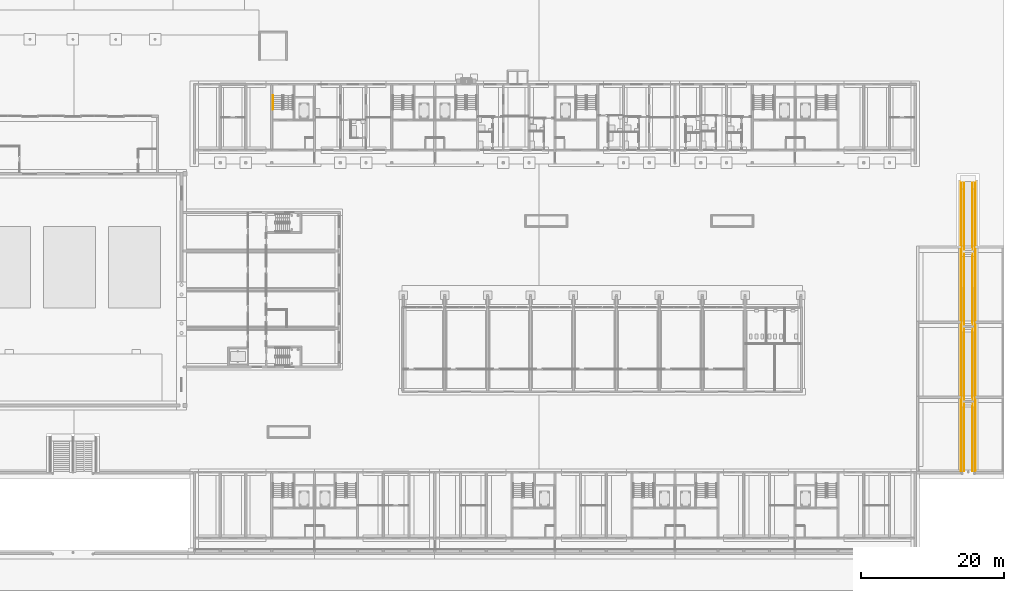
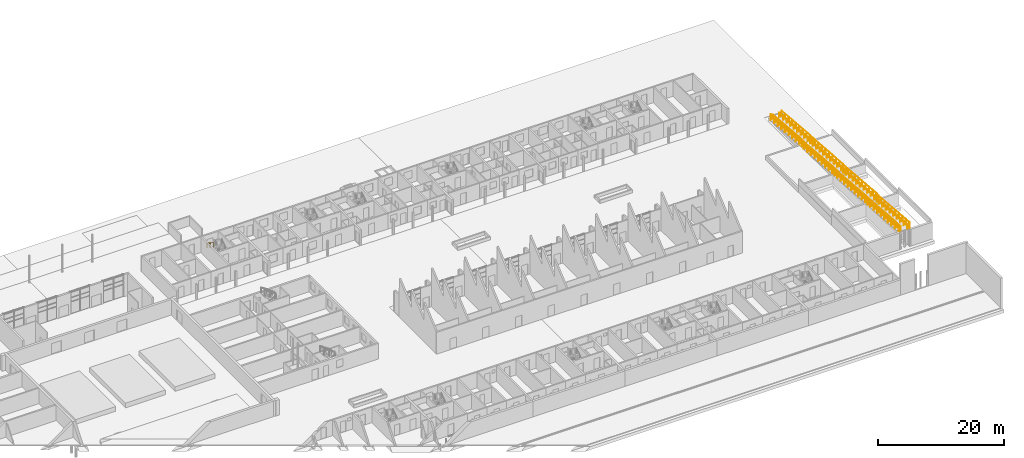
# One storey, part 104 of 112: 5 railings.
"""IFC4 building model written with IfcOpenShell, lengths in metres."""

from ifc_helpers import new_model, si_unit, direction, frame, origin, origin_2d, place, context, subcontext, project, spatial, circle, extrude, material, type_object, element, save


model = new_model("IFC4")

# Units and contexts
model_context = context("Model", 3, precision=1e-05, world=origin(), true_north=direction((0.0, 1.0)))
body_context = subcontext(model_context, "Body", "Model", "MODEL_VIEW")
ifc_project = project(units=[si_unit("LENGTHUNIT", "METRE"), si_unit("AREAUNIT", "SQUARE_METRE"), si_unit("VOLUMEUNIT", "CUBIC_METRE"), si_unit("PLANEANGLEUNIT", "RADIAN"), si_unit("MASSUNIT", "GRAM", prefix="KILO")], contexts=[model_context])

# Site, building, storey
site_placement = place(None, origin())
site = spatial("IfcSite", under=ifc_project, at=site_placement, CompositionType="ELEMENT")
building_placement = place(site_placement, origin())
building = spatial("IfcBuilding", under=site, at=building_placement, Name="Ridgestep Commons", CompositionType="ELEMENT")
storey_placement = place(building_placement, origin())
storey = spatial("IfcBuildingStorey", under=building, at=storey_placement, Name="L00", CompositionType="ELEMENT", Elevation=0.0)

# Railings
ifc_material_1 = material(Name="Structural steel S355JR", Category="steel")
railing_type_1 = type_object("IfcRailingType", Name="Community guard 1100", PredefinedType="GUARDRAIL", material=ifc_material_1)
railing_1_placement = place(storey_placement, frame((254.0, 63.5, 0.0)))
element("IfcRailing", 1, at=railing_1_placement, inside=storey, type_object=railing_type_1, Name="Ramp guard", PredefinedType="GUARDRAIL", context=body_context, shape_type="SweptSolid", body=[
    extrude(circle(Radius=0.02392578125, at=origin_2d()), frame((0.0, 0.0, 1.076171875), z_axis=(0.0, -0.996545758245, 0.083045479854), x_axis=(1.0, 0.0, 0.0)), (0.0, 0.0, 1.0), 9.03125),
    extrude(circle(Radius=0.02392578125, at=origin_2d()), frame((0.0, -9.0, 1.826171875), z_axis=(0.0, -1.0, 0.0), x_axis=(1.0, 0.0, 0.0)), (0.0, 0.0, 1.0), 1.5),
    extrude(circle(Radius=0.02392578125, at=origin_2d()), frame((0.0, -10.5, 1.826171875), z_axis=(0.0, -0.996545758245, 0.083045479854), x_axis=(1.0, 0.0, 0.0)), (0.0, 0.0, 1.0), 9.03125),
    extrude(circle(Radius=0.02392578125, at=origin_2d()), frame((0.0, -19.5, 2.576171875), z_axis=(0.0, -1.0, 0.0), x_axis=(1.0, 0.0, 0.0)), (0.0, 0.0, 1.0), 1.5),
    extrude(circle(Radius=0.02392578125, at=origin_2d()), frame((0.0, -21.0, 2.576171875), z_axis=(0.0, -0.996545758245, 0.083045479854), x_axis=(1.0, 0.0, 0.0)), (0.0, 0.0, 1.0), 9.03125),
    extrude(circle(Radius=0.02392578125, at=origin_2d()), frame((0.0, -30.0, 3.326171875), z_axis=(0.0, -1.0, 0.0), x_axis=(1.0, 0.0, 0.0)), (0.0, 0.0, 1.0), 1.5),
    extrude(circle(Radius=0.02392578125, at=origin_2d()), frame((0.0, -31.5, 3.326171875), z_axis=(0.0, -0.996545758245, 0.083045479854), x_axis=(1.0, 0.0, 0.0)), (0.0, 0.0, 1.0), 9.03125),
    extrude(circle(Radius=0.02099609375, at=origin_2d()), origin(), (0.0, 0.0, 1.0), 1.052001953125),
    extrude(circle(Radius=0.02099609375, at=origin_2d()), frame((0.0, -1.125, 0.09375)), (0.0, 0.0, 1.0), 1.052001953125),
    extrude(circle(Radius=0.02099609375, at=origin_2d()), frame((0.0, -2.25, 0.1875)), (0.0, 0.0, 1.0), 1.052001953125),
    extrude(circle(Radius=0.02099609375, at=origin_2d()), frame((0.0, -3.375, 0.28125)), (0.0, 0.0, 1.0), 1.052001953125),
    extrude(circle(Radius=0.02099609375, at=origin_2d()), frame((0.0, -4.5, 0.375)), (0.0, 0.0, 1.0), 1.052001953125),
    extrude(circle(Radius=0.02099609375, at=origin_2d()), frame((0.0, -5.625, 0.46875)), (0.0, 0.0, 1.0), 1.052001953125),
    extrude(circle(Radius=0.02099609375, at=origin_2d()), frame((0.0, -6.75, 0.5625)), (0.0, 0.0, 1.0), 1.052001953125),
    extrude(circle(Radius=0.02099609375, at=origin_2d()), frame((0.0, -7.875, 0.65625)), (0.0, 0.0, 1.0), 1.052001953125),
    extrude(circle(Radius=0.02099609375, at=origin_2d()), frame((0.0, -9.0, 0.75)), (0.0, 0.0, 1.0), 1.052001953125),
    extrude(circle(Radius=0.02099609375, at=origin_2d()), frame((0.0, -9.75, 0.75)), (0.0, 0.0, 1.0), 1.052001953125),
    extrude(circle(Radius=0.02099609375, at=origin_2d()), frame((0.0, -10.5, 0.75)), (0.0, 0.0, 1.0), 1.052001953125),
    extrude(circle(Radius=0.02099609375, at=origin_2d()), frame((0.0, -11.625, 0.84375)), (0.0, 0.0, 1.0), 1.052001953125),
    extrude(circle(Radius=0.02099609375, at=origin_2d()), frame((0.0, -12.75, 0.9375)), (0.0, 0.0, 1.0), 1.052001953125),
    extrude(circle(Radius=0.02099609375, at=origin_2d()), frame((0.0, -13.875, 1.03125)), (0.0, 0.0, 1.0), 1.052001953125),
    extrude(circle(Radius=0.02099609375, at=origin_2d()), frame((0.0, -15.0, 1.125)), (0.0, 0.0, 1.0), 1.052001953125),
    extrude(circle(Radius=0.02099609375, at=origin_2d()), frame((0.0, -16.125, 1.21875)), (0.0, 0.0, 1.0), 1.052001953125),
    extrude(circle(Radius=0.02099609375, at=origin_2d()), frame((0.0, -17.25, 1.3125)), (0.0, 0.0, 1.0), 1.052001953125),
    extrude(circle(Radius=0.02099609375, at=origin_2d()), frame((0.0, -18.375, 1.40625)), (0.0, 0.0, 1.0), 1.052001953125),
    extrude(circle(Radius=0.02099609375, at=origin_2d()), frame((0.0, -19.5, 1.5)), (0.0, 0.0, 1.0), 1.052001953125),
    extrude(circle(Radius=0.02099609375, at=origin_2d()), frame((0.0, -20.25, 1.5)), (0.0, 0.0, 1.0), 1.052001953125),
    extrude(circle(Radius=0.02099609375, at=origin_2d()), frame((0.0, -21.0, 1.5)), (0.0, 0.0, 1.0), 1.052001953125),
    extrude(circle(Radius=0.02099609375, at=origin_2d()), frame((0.0, -22.125, 1.59375)), (0.0, 0.0, 1.0), 1.052001953125),
    extrude(circle(Radius=0.02099609375, at=origin_2d()), frame((0.0, -23.25, 1.6875)), (0.0, 0.0, 1.0), 1.052001953125),
    extrude(circle(Radius=0.02099609375, at=origin_2d()), frame((0.0, -24.375, 1.78125)), (0.0, 0.0, 1.0), 1.052001953125),
    extrude(circle(Radius=0.02099609375, at=origin_2d()), frame((0.0, -25.5, 1.875)), (0.0, 0.0, 1.0), 1.052001953125),
    extrude(circle(Radius=0.02099609375, at=origin_2d()), frame((0.0, -26.625, 1.96875)), (0.0, 0.0, 1.0), 1.052001953125),
    extrude(circle(Radius=0.02099609375, at=origin_2d()), frame((0.0, -27.75, 2.0625)), (0.0, 0.0, 1.0), 1.052001953125),
    extrude(circle(Radius=0.02099609375, at=origin_2d()), frame((0.0, -28.875, 2.15625)), (0.0, 0.0, 1.0), 1.052001953125),
    extrude(circle(Radius=0.02099609375, at=origin_2d()), frame((0.0, -30.0, 2.25)), (0.0, 0.0, 1.0), 1.052001953125),
    extrude(circle(Radius=0.02099609375, at=origin_2d()), frame((0.0, -30.75, 2.25)), (0.0, 0.0, 1.0), 1.052001953125),
    extrude(circle(Radius=0.02099609375, at=origin_2d()), frame((0.0, -31.5, 2.25)), (0.0, 0.0, 1.0), 1.052001953125),
    extrude(circle(Radius=0.02099609375, at=origin_2d()), frame((0.0, -32.625, 2.34375)), (0.0, 0.0, 1.0), 1.052001953125),
    extrude(circle(Radius=0.02099609375, at=origin_2d()), frame((0.0, -33.75, 2.4375)), (0.0, 0.0, 1.0), 1.052001953125),
    extrude(circle(Radius=0.02099609375, at=origin_2d()), frame((0.0, -34.875, 2.53125)), (0.0, 0.0, 1.0), 1.052001953125),
    extrude(circle(Radius=0.02099609375, at=origin_2d()), frame((0.0, -36.0, 2.625)), (0.0, 0.0, 1.0), 1.052001953125),
    extrude(circle(Radius=0.02099609375, at=origin_2d()), frame((0.0, -37.125, 2.71875)), (0.0, 0.0, 1.0), 1.052001953125),
    extrude(circle(Radius=0.02099609375, at=origin_2d()), frame((0.0, -38.25, 2.8125)), (0.0, 0.0, 1.0), 1.052001953125),
    extrude(circle(Radius=0.02099609375, at=origin_2d()), frame((0.0, -39.375, 2.90625)), (0.0, 0.0, 1.0), 1.052001953125),
    extrude(circle(Radius=0.02099609375, at=origin_2d()), frame((0.0, -40.5, 3.0)), (0.0, 0.0, 1.0), 1.052001953125),
])
railing_2_placement = place(storey_placement, frame((256.0, 63.5, 0.0)))
element("IfcRailing", 2, at=railing_2_placement, inside=storey, type_object=railing_type_1, Name="Ramp guard", PredefinedType="GUARDRAIL", context=body_context, shape_type="SweptSolid", body=[
    extrude(circle(Radius=0.02392578125, at=origin_2d()), frame((0.0, 0.0, 1.076171875), z_axis=(0.0, -0.996545758245, 0.083045479854), x_axis=(1.0, 0.0, 0.0)), (0.0, 0.0, 1.0), 9.03125),
    extrude(circle(Radius=0.02392578125, at=origin_2d()), frame((0.0, -9.0, 1.826171875), z_axis=(0.0, -1.0, 0.0), x_axis=(1.0, 0.0, 0.0)), (0.0, 0.0, 1.0), 1.5),
    extrude(circle(Radius=0.02392578125, at=origin_2d()), frame((0.0, -10.5, 1.826171875), z_axis=(0.0, -0.996545758245, 0.083045479854), x_axis=(1.0, 0.0, 0.0)), (0.0, 0.0, 1.0), 9.03125),
    extrude(circle(Radius=0.02392578125, at=origin_2d()), frame((0.0, -19.5, 2.576171875), z_axis=(0.0, -1.0, 0.0), x_axis=(1.0, 0.0, 0.0)), (0.0, 0.0, 1.0), 1.5),
    extrude(circle(Radius=0.02392578125, at=origin_2d()), frame((0.0, -21.0, 2.576171875), z_axis=(0.0, -0.996545758245, 0.083045479854), x_axis=(1.0, 0.0, 0.0)), (0.0, 0.0, 1.0), 9.03125),
    extrude(circle(Radius=0.02392578125, at=origin_2d()), frame((0.0, -30.0, 3.326171875), z_axis=(0.0, -1.0, 0.0), x_axis=(1.0, 0.0, 0.0)), (0.0, 0.0, 1.0), 1.5),
    extrude(circle(Radius=0.02392578125, at=origin_2d()), frame((0.0, -31.5, 3.326171875), z_axis=(0.0, -0.996545758245, 0.083045479854), x_axis=(1.0, 0.0, 0.0)), (0.0, 0.0, 1.0), 9.03125),
    extrude(circle(Radius=0.02099609375, at=origin_2d()), origin(), (0.0, 0.0, 1.0), 1.052001953125),
    extrude(circle(Radius=0.02099609375, at=origin_2d()), frame((0.0, -1.125, 0.09375)), (0.0, 0.0, 1.0), 1.052001953125),
    extrude(circle(Radius=0.02099609375, at=origin_2d()), frame((0.0, -2.25, 0.1875)), (0.0, 0.0, 1.0), 1.052001953125),
    extrude(circle(Radius=0.02099609375, at=origin_2d()), frame((0.0, -3.375, 0.28125)), (0.0, 0.0, 1.0), 1.052001953125),
    extrude(circle(Radius=0.02099609375, at=origin_2d()), frame((0.0, -4.5, 0.375)), (0.0, 0.0, 1.0), 1.052001953125),
    extrude(circle(Radius=0.02099609375, at=origin_2d()), frame((0.0, -5.625, 0.46875)), (0.0, 0.0, 1.0), 1.052001953125),
    extrude(circle(Radius=0.02099609375, at=origin_2d()), frame((0.0, -6.75, 0.5625)), (0.0, 0.0, 1.0), 1.052001953125),
    extrude(circle(Radius=0.02099609375, at=origin_2d()), frame((0.0, -7.875, 0.65625)), (0.0, 0.0, 1.0), 1.052001953125),
    extrude(circle(Radius=0.02099609375, at=origin_2d()), frame((0.0, -9.0, 0.75)), (0.0, 0.0, 1.0), 1.052001953125),
    extrude(circle(Radius=0.02099609375, at=origin_2d()), frame((0.0, -9.75, 0.75)), (0.0, 0.0, 1.0), 1.052001953125),
    extrude(circle(Radius=0.02099609375, at=origin_2d()), frame((0.0, -10.5, 0.75)), (0.0, 0.0, 1.0), 1.052001953125),
    extrude(circle(Radius=0.02099609375, at=origin_2d()), frame((0.0, -11.625, 0.84375)), (0.0, 0.0, 1.0), 1.052001953125),
    extrude(circle(Radius=0.02099609375, at=origin_2d()), frame((0.0, -12.75, 0.9375)), (0.0, 0.0, 1.0), 1.052001953125),
    extrude(circle(Radius=0.02099609375, at=origin_2d()), frame((0.0, -13.875, 1.03125)), (0.0, 0.0, 1.0), 1.052001953125),
    extrude(circle(Radius=0.02099609375, at=origin_2d()), frame((0.0, -15.0, 1.125)), (0.0, 0.0, 1.0), 1.052001953125),
    extrude(circle(Radius=0.02099609375, at=origin_2d()), frame((0.0, -16.125, 1.21875)), (0.0, 0.0, 1.0), 1.052001953125),
    extrude(circle(Radius=0.02099609375, at=origin_2d()), frame((0.0, -17.25, 1.3125)), (0.0, 0.0, 1.0), 1.052001953125),
    extrude(circle(Radius=0.02099609375, at=origin_2d()), frame((0.0, -18.375, 1.40625)), (0.0, 0.0, 1.0), 1.052001953125),
    extrude(circle(Radius=0.02099609375, at=origin_2d()), frame((0.0, -19.5, 1.5)), (0.0, 0.0, 1.0), 1.052001953125),
    extrude(circle(Radius=0.02099609375, at=origin_2d()), frame((0.0, -20.25, 1.5)), (0.0, 0.0, 1.0), 1.052001953125),
    extrude(circle(Radius=0.02099609375, at=origin_2d()), frame((0.0, -21.0, 1.5)), (0.0, 0.0, 1.0), 1.052001953125),
    extrude(circle(Radius=0.02099609375, at=origin_2d()), frame((0.0, -22.125, 1.59375)), (0.0, 0.0, 1.0), 1.052001953125),
    extrude(circle(Radius=0.02099609375, at=origin_2d()), frame((0.0, -23.25, 1.6875)), (0.0, 0.0, 1.0), 1.052001953125),
    extrude(circle(Radius=0.02099609375, at=origin_2d()), frame((0.0, -24.375, 1.78125)), (0.0, 0.0, 1.0), 1.052001953125),
    extrude(circle(Radius=0.02099609375, at=origin_2d()), frame((0.0, -25.5, 1.875)), (0.0, 0.0, 1.0), 1.052001953125),
    extrude(circle(Radius=0.02099609375, at=origin_2d()), frame((0.0, -26.625, 1.96875)), (0.0, 0.0, 1.0), 1.052001953125),
    extrude(circle(Radius=0.02099609375, at=origin_2d()), frame((0.0, -27.75, 2.0625)), (0.0, 0.0, 1.0), 1.052001953125),
    extrude(circle(Radius=0.02099609375, at=origin_2d()), frame((0.0, -28.875, 2.15625)), (0.0, 0.0, 1.0), 1.052001953125),
    extrude(circle(Radius=0.02099609375, at=origin_2d()), frame((0.0, -30.0, 2.25)), (0.0, 0.0, 1.0), 1.052001953125),
    extrude(circle(Radius=0.02099609375, at=origin_2d()), frame((0.0, -30.75, 2.25)), (0.0, 0.0, 1.0), 1.052001953125),
    extrude(circle(Radius=0.02099609375, at=origin_2d()), frame((0.0, -31.5, 2.25)), (0.0, 0.0, 1.0), 1.052001953125),
    extrude(circle(Radius=0.02099609375, at=origin_2d()), frame((0.0, -32.625, 2.34375)), (0.0, 0.0, 1.0), 1.052001953125),
    extrude(circle(Radius=0.02099609375, at=origin_2d()), frame((0.0, -33.75, 2.4375)), (0.0, 0.0, 1.0), 1.052001953125),
    extrude(circle(Radius=0.02099609375, at=origin_2d()), frame((0.0, -34.875, 2.53125)), (0.0, 0.0, 1.0), 1.052001953125),
    extrude(circle(Radius=0.02099609375, at=origin_2d()), frame((0.0, -36.0, 2.625)), (0.0, 0.0, 1.0), 1.052001953125),
    extrude(circle(Radius=0.02099609375, at=origin_2d()), frame((0.0, -37.125, 2.71875)), (0.0, 0.0, 1.0), 1.052001953125),
    extrude(circle(Radius=0.02099609375, at=origin_2d()), frame((0.0, -38.25, 2.8125)), (0.0, 0.0, 1.0), 1.052001953125),
    extrude(circle(Radius=0.02099609375, at=origin_2d()), frame((0.0, -39.375, 2.90625)), (0.0, 0.0, 1.0), 1.052001953125),
    extrude(circle(Radius=0.02099609375, at=origin_2d()), frame((0.0, -40.5, 3.0)), (0.0, 0.0, 1.0), 1.052001953125),
])
ifc_material_2 = material(Name="Structural steel S355JR", Category="steel")
railing_type_2 = type_object("IfcRailingType", Name="Community stair handrail 900", PredefinedType="HANDRAIL", material=ifc_material_2)
railing_3_placement = place(storey_placement, frame((254.39990234375, 63.5, 0.0)))
element("IfcRailing", 3, at=railing_3_placement, inside=storey, type_object=railing_type_2, Name="Ramp handrail", PredefinedType="HANDRAIL", context=body_context, shape_type="SweptSolid", body=[
    extrude(circle(Radius=0.02392578125, at=origin_2d()), frame((0.0, 0.0, 0.8759765625), z_axis=(0.0, -0.996545758245, 0.083045479854), x_axis=(1.0, 0.0, 0.0)), (0.0, 0.0, 1.0), 9.03125),
    extrude(circle(Radius=0.02392578125, at=origin_2d()), frame((0.0, -9.0, 1.6259765625), z_axis=(0.0, -1.0, 0.0), x_axis=(1.0, 0.0, 0.0)), (0.0, 0.0, 1.0), 1.5),
    extrude(circle(Radius=0.02392578125, at=origin_2d()), frame((0.0, -10.5, 1.6259765625), z_axis=(0.0, -0.996545758245, 0.083045479854), x_axis=(1.0, 0.0, 0.0)), (0.0, 0.0, 1.0), 9.03125),
    extrude(circle(Radius=0.02392578125, at=origin_2d()), frame((0.0, -19.5, 2.3759765625), z_axis=(0.0, -1.0, 0.0), x_axis=(1.0, 0.0, 0.0)), (0.0, 0.0, 1.0), 1.5),
    extrude(circle(Radius=0.02392578125, at=origin_2d()), frame((0.0, -21.0, 2.3759765625), z_axis=(0.0, -0.996545758245, 0.083045479854), x_axis=(1.0, 0.0, 0.0)), (0.0, 0.0, 1.0), 9.03125),
    extrude(circle(Radius=0.02392578125, at=origin_2d()), frame((0.0, -30.0, 3.1259765625), z_axis=(0.0, -1.0, 0.0), x_axis=(1.0, 0.0, 0.0)), (0.0, 0.0, 1.0), 1.5),
    extrude(circle(Radius=0.02392578125, at=origin_2d()), frame((0.0, -31.5, 3.1259765625), z_axis=(0.0, -0.996545758245, 0.083045479854), x_axis=(1.0, 0.0, 0.0)), (0.0, 0.0, 1.0), 9.03125),
    extrude(circle(Radius=0.02099609375, at=origin_2d()), origin(), (0.0, 0.0, 1.0), 0.851806640625),
    extrude(circle(Radius=0.02099609375, at=origin_2d()), frame((0.0, -1.125, 0.09375)), (0.0, 0.0, 1.0), 0.851806640625),
    extrude(circle(Radius=0.02099609375, at=origin_2d()), frame((0.0, -2.25, 0.1875)), (0.0, 0.0, 1.0), 0.851806640625),
    extrude(circle(Radius=0.02099609375, at=origin_2d()), frame((0.0, -3.375, 0.28125)), (0.0, 0.0, 1.0), 0.851806640625),
    extrude(circle(Radius=0.02099609375, at=origin_2d()), frame((0.0, -4.5, 0.375)), (0.0, 0.0, 1.0), 0.851806640625),
    extrude(circle(Radius=0.02099609375, at=origin_2d()), frame((0.0, -5.625, 0.46875)), (0.0, 0.0, 1.0), 0.851806640625),
    extrude(circle(Radius=0.02099609375, at=origin_2d()), frame((0.0, -6.75, 0.5625)), (0.0, 0.0, 1.0), 0.851806640625),
    extrude(circle(Radius=0.02099609375, at=origin_2d()), frame((0.0, -7.875, 0.65625)), (0.0, 0.0, 1.0), 0.851806640625),
    extrude(circle(Radius=0.02099609375, at=origin_2d()), frame((0.0, -9.0, 0.75)), (0.0, 0.0, 1.0), 0.851806640625),
    extrude(circle(Radius=0.02099609375, at=origin_2d()), frame((0.0, -9.75, 0.75)), (0.0, 0.0, 1.0), 0.851806640625),
    extrude(circle(Radius=0.02099609375, at=origin_2d()), frame((0.0, -10.5, 0.75)), (0.0, 0.0, 1.0), 0.851806640625),
    extrude(circle(Radius=0.02099609375, at=origin_2d()), frame((0.0, -11.625, 0.84375)), (0.0, 0.0, 1.0), 0.851806640625),
    extrude(circle(Radius=0.02099609375, at=origin_2d()), frame((0.0, -12.75, 0.9375)), (0.0, 0.0, 1.0), 0.851806640625),
    extrude(circle(Radius=0.02099609375, at=origin_2d()), frame((0.0, -13.875, 1.03125)), (0.0, 0.0, 1.0), 0.851806640625),
    extrude(circle(Radius=0.02099609375, at=origin_2d()), frame((0.0, -15.0, 1.125)), (0.0, 0.0, 1.0), 0.851806640625),
    extrude(circle(Radius=0.02099609375, at=origin_2d()), frame((0.0, -16.125, 1.21875)), (0.0, 0.0, 1.0), 0.851806640625),
    extrude(circle(Radius=0.02099609375, at=origin_2d()), frame((0.0, -17.25, 1.3125)), (0.0, 0.0, 1.0), 0.851806640625),
    extrude(circle(Radius=0.02099609375, at=origin_2d()), frame((0.0, -18.375, 1.40625)), (0.0, 0.0, 1.0), 0.851806640625),
    extrude(circle(Radius=0.02099609375, at=origin_2d()), frame((0.0, -19.5, 1.5)), (0.0, 0.0, 1.0), 0.851806640625),
    extrude(circle(Radius=0.02099609375, at=origin_2d()), frame((0.0, -20.25, 1.5)), (0.0, 0.0, 1.0), 0.851806640625),
    extrude(circle(Radius=0.02099609375, at=origin_2d()), frame((0.0, -21.0, 1.5)), (0.0, 0.0, 1.0), 0.851806640625),
    extrude(circle(Radius=0.02099609375, at=origin_2d()), frame((0.0, -22.125, 1.59375)), (0.0, 0.0, 1.0), 0.851806640625),
    extrude(circle(Radius=0.02099609375, at=origin_2d()), frame((0.0, -23.25, 1.6875)), (0.0, 0.0, 1.0), 0.851806640625),
    extrude(circle(Radius=0.02099609375, at=origin_2d()), frame((0.0, -24.375, 1.78125)), (0.0, 0.0, 1.0), 0.851806640625),
    extrude(circle(Radius=0.02099609375, at=origin_2d()), frame((0.0, -25.5, 1.875)), (0.0, 0.0, 1.0), 0.851806640625),
    extrude(circle(Radius=0.02099609375, at=origin_2d()), frame((0.0, -26.625, 1.96875)), (0.0, 0.0, 1.0), 0.851806640625),
    extrude(circle(Radius=0.02099609375, at=origin_2d()), frame((0.0, -27.75, 2.0625)), (0.0, 0.0, 1.0), 0.851806640625),
    extrude(circle(Radius=0.02099609375, at=origin_2d()), frame((0.0, -28.875, 2.15625)), (0.0, 0.0, 1.0), 0.851806640625),
    extrude(circle(Radius=0.02099609375, at=origin_2d()), frame((0.0, -30.0, 2.25)), (0.0, 0.0, 1.0), 0.851806640625),
    extrude(circle(Radius=0.02099609375, at=origin_2d()), frame((0.0, -30.75, 2.25)), (0.0, 0.0, 1.0), 0.851806640625),
    extrude(circle(Radius=0.02099609375, at=origin_2d()), frame((0.0, -31.5, 2.25)), (0.0, 0.0, 1.0), 0.851806640625),
    extrude(circle(Radius=0.02099609375, at=origin_2d()), frame((0.0, -32.625, 2.34375)), (0.0, 0.0, 1.0), 0.851806640625),
    extrude(circle(Radius=0.02099609375, at=origin_2d()), frame((0.0, -33.75, 2.4375)), (0.0, 0.0, 1.0), 0.851806640625),
    extrude(circle(Radius=0.02099609375, at=origin_2d()), frame((0.0, -34.875, 2.53125)), (0.0, 0.0, 1.0), 0.851806640625),
    extrude(circle(Radius=0.02099609375, at=origin_2d()), frame((0.0, -36.0, 2.625)), (0.0, 0.0, 1.0), 0.851806640625),
    extrude(circle(Radius=0.02099609375, at=origin_2d()), frame((0.0, -37.125, 2.71875)), (0.0, 0.0, 1.0), 0.851806640625),
    extrude(circle(Radius=0.02099609375, at=origin_2d()), frame((0.0, -38.25, 2.8125)), (0.0, 0.0, 1.0), 0.851806640625),
    extrude(circle(Radius=0.02099609375, at=origin_2d()), frame((0.0, -39.375, 2.90625)), (0.0, 0.0, 1.0), 0.851806640625),
    extrude(circle(Radius=0.02099609375, at=origin_2d()), frame((0.0, -40.5, 3.0)), (0.0, 0.0, 1.0), 0.851806640625),
])
railing_4_placement = place(storey_placement, frame((255.60009765625, 63.5, 0.0)))
element("IfcRailing", 4, at=railing_4_placement, inside=storey, type_object=railing_type_2, Name="Ramp handrail", PredefinedType="HANDRAIL", context=body_context, shape_type="SweptSolid", body=[
    extrude(circle(Radius=0.02392578125, at=origin_2d()), frame((0.0, 0.0, 0.8759765625), z_axis=(0.0, -0.996545758245, 0.083045479854), x_axis=(1.0, 0.0, 0.0)), (0.0, 0.0, 1.0), 9.03125),
    extrude(circle(Radius=0.02392578125, at=origin_2d()), frame((0.0, -9.0, 1.6259765625), z_axis=(0.0, -1.0, 0.0), x_axis=(1.0, 0.0, 0.0)), (0.0, 0.0, 1.0), 1.5),
    extrude(circle(Radius=0.02392578125, at=origin_2d()), frame((0.0, -10.5, 1.6259765625), z_axis=(0.0, -0.996545758245, 0.083045479854), x_axis=(1.0, 0.0, 0.0)), (0.0, 0.0, 1.0), 9.03125),
    extrude(circle(Radius=0.02392578125, at=origin_2d()), frame((0.0, -19.5, 2.3759765625), z_axis=(0.0, -1.0, 0.0), x_axis=(1.0, 0.0, 0.0)), (0.0, 0.0, 1.0), 1.5),
    extrude(circle(Radius=0.02392578125, at=origin_2d()), frame((0.0, -21.0, 2.3759765625), z_axis=(0.0, -0.996545758245, 0.083045479854), x_axis=(1.0, 0.0, 0.0)), (0.0, 0.0, 1.0), 9.03125),
    extrude(circle(Radius=0.02392578125, at=origin_2d()), frame((0.0, -30.0, 3.1259765625), z_axis=(0.0, -1.0, 0.0), x_axis=(1.0, 0.0, 0.0)), (0.0, 0.0, 1.0), 1.5),
    extrude(circle(Radius=0.02392578125, at=origin_2d()), frame((0.0, -31.5, 3.1259765625), z_axis=(0.0, -0.996545758245, 0.083045479854), x_axis=(1.0, 0.0, 0.0)), (0.0, 0.0, 1.0), 9.03125),
    extrude(circle(Radius=0.02099609375, at=origin_2d()), origin(), (0.0, 0.0, 1.0), 0.851806640625),
    extrude(circle(Radius=0.02099609375, at=origin_2d()), frame((0.0, -1.125, 0.09375)), (0.0, 0.0, 1.0), 0.851806640625),
    extrude(circle(Radius=0.02099609375, at=origin_2d()), frame((0.0, -2.25, 0.1875)), (0.0, 0.0, 1.0), 0.851806640625),
    extrude(circle(Radius=0.02099609375, at=origin_2d()), frame((0.0, -3.375, 0.28125)), (0.0, 0.0, 1.0), 0.851806640625),
    extrude(circle(Radius=0.02099609375, at=origin_2d()), frame((0.0, -4.5, 0.375)), (0.0, 0.0, 1.0), 0.851806640625),
    extrude(circle(Radius=0.02099609375, at=origin_2d()), frame((0.0, -5.625, 0.46875)), (0.0, 0.0, 1.0), 0.851806640625),
    extrude(circle(Radius=0.02099609375, at=origin_2d()), frame((0.0, -6.75, 0.5625)), (0.0, 0.0, 1.0), 0.851806640625),
    extrude(circle(Radius=0.02099609375, at=origin_2d()), frame((0.0, -7.875, 0.65625)), (0.0, 0.0, 1.0), 0.851806640625),
    extrude(circle(Radius=0.02099609375, at=origin_2d()), frame((0.0, -9.0, 0.75)), (0.0, 0.0, 1.0), 0.851806640625),
    extrude(circle(Radius=0.02099609375, at=origin_2d()), frame((0.0, -9.75, 0.75)), (0.0, 0.0, 1.0), 0.851806640625),
    extrude(circle(Radius=0.02099609375, at=origin_2d()), frame((0.0, -10.5, 0.75)), (0.0, 0.0, 1.0), 0.851806640625),
    extrude(circle(Radius=0.02099609375, at=origin_2d()), frame((0.0, -11.625, 0.84375)), (0.0, 0.0, 1.0), 0.851806640625),
    extrude(circle(Radius=0.02099609375, at=origin_2d()), frame((0.0, -12.75, 0.9375)), (0.0, 0.0, 1.0), 0.851806640625),
    extrude(circle(Radius=0.02099609375, at=origin_2d()), frame((0.0, -13.875, 1.03125)), (0.0, 0.0, 1.0), 0.851806640625),
    extrude(circle(Radius=0.02099609375, at=origin_2d()), frame((0.0, -15.0, 1.125)), (0.0, 0.0, 1.0), 0.851806640625),
    extrude(circle(Radius=0.02099609375, at=origin_2d()), frame((0.0, -16.125, 1.21875)), (0.0, 0.0, 1.0), 0.851806640625),
    extrude(circle(Radius=0.02099609375, at=origin_2d()), frame((0.0, -17.25, 1.3125)), (0.0, 0.0, 1.0), 0.851806640625),
    extrude(circle(Radius=0.02099609375, at=origin_2d()), frame((0.0, -18.375, 1.40625)), (0.0, 0.0, 1.0), 0.851806640625),
    extrude(circle(Radius=0.02099609375, at=origin_2d()), frame((0.0, -19.5, 1.5)), (0.0, 0.0, 1.0), 0.851806640625),
    extrude(circle(Radius=0.02099609375, at=origin_2d()), frame((0.0, -20.25, 1.5)), (0.0, 0.0, 1.0), 0.851806640625),
    extrude(circle(Radius=0.02099609375, at=origin_2d()), frame((0.0, -21.0, 1.5)), (0.0, 0.0, 1.0), 0.851806640625),
    extrude(circle(Radius=0.02099609375, at=origin_2d()), frame((0.0, -22.125, 1.59375)), (0.0, 0.0, 1.0), 0.851806640625),
    extrude(circle(Radius=0.02099609375, at=origin_2d()), frame((0.0, -23.25, 1.6875)), (0.0, 0.0, 1.0), 0.851806640625),
    extrude(circle(Radius=0.02099609375, at=origin_2d()), frame((0.0, -24.375, 1.78125)), (0.0, 0.0, 1.0), 0.851806640625),
    extrude(circle(Radius=0.02099609375, at=origin_2d()), frame((0.0, -25.5, 1.875)), (0.0, 0.0, 1.0), 0.851806640625),
    extrude(circle(Radius=0.02099609375, at=origin_2d()), frame((0.0, -26.625, 1.96875)), (0.0, 0.0, 1.0), 0.851806640625),
    extrude(circle(Radius=0.02099609375, at=origin_2d()), frame((0.0, -27.75, 2.0625)), (0.0, 0.0, 1.0), 0.851806640625),
    extrude(circle(Radius=0.02099609375, at=origin_2d()), frame((0.0, -28.875, 2.15625)), (0.0, 0.0, 1.0), 0.851806640625),
    extrude(circle(Radius=0.02099609375, at=origin_2d()), frame((0.0, -30.0, 2.25)), (0.0, 0.0, 1.0), 0.851806640625),
    extrude(circle(Radius=0.02099609375, at=origin_2d()), frame((0.0, -30.75, 2.25)), (0.0, 0.0, 1.0), 0.851806640625),
    extrude(circle(Radius=0.02099609375, at=origin_2d()), frame((0.0, -31.5, 2.25)), (0.0, 0.0, 1.0), 0.851806640625),
    extrude(circle(Radius=0.02099609375, at=origin_2d()), frame((0.0, -32.625, 2.34375)), (0.0, 0.0, 1.0), 0.851806640625),
    extrude(circle(Radius=0.02099609375, at=origin_2d()), frame((0.0, -33.75, 2.4375)), (0.0, 0.0, 1.0), 0.851806640625),
    extrude(circle(Radius=0.02099609375, at=origin_2d()), frame((0.0, -34.875, 2.53125)), (0.0, 0.0, 1.0), 0.851806640625),
    extrude(circle(Radius=0.02099609375, at=origin_2d()), frame((0.0, -36.0, 2.625)), (0.0, 0.0, 1.0), 0.851806640625),
    extrude(circle(Radius=0.02099609375, at=origin_2d()), frame((0.0, -37.125, 2.71875)), (0.0, 0.0, 1.0), 0.851806640625),
    extrude(circle(Radius=0.02099609375, at=origin_2d()), frame((0.0, -38.25, 2.8125)), (0.0, 0.0, 1.0), 0.851806640625),
    extrude(circle(Radius=0.02099609375, at=origin_2d()), frame((0.0, -39.375, 2.90625)), (0.0, 0.0, 1.0), 0.851806640625),
    extrude(circle(Radius=0.02099609375, at=origin_2d()), frame((0.0, -40.5, 3.0)), (0.0, 0.0, 1.0), 0.851806640625),
])
ifc_material_3 = material(Name="Structural steel S355JR", Category="steel")
railing_type_3 = type_object("IfcRailingType", Name="Stair handrail 900", PredefinedType="HANDRAIL", material=ifc_material_3)
railing_5_placement = place(storey_placement, frame((157.77490234375, 75.56005859375, 1.6875)))
element("IfcRailing", 5, at=railing_5_placement, inside=storey, type_object=railing_type_3, Name="L00 C1C stair handrail 2", PredefinedType="HANDRAIL", context=body_context, shape_type="SweptSolid", body=[
    extrude(circle(Radius=0.02392578125, at=origin_2d()), frame((0.0, 0.0, 0.8759765625), z_axis=(0.0, -0.830902050051, 0.556418712142), x_axis=(1.0, 0.0, 0.0)), (0.0, 0.0, 1.0), 2.35888671875),
    extrude(circle(Radius=0.02099609375, at=origin_2d()), origin(), (0.0, 0.0, 1.0), 0.851806640625),
    extrude(circle(Radius=0.02099609375, at=origin_2d()), frame((0.0, -0.97998046875, 0.65625)), (0.0, 0.0, 1.0), 0.851806640625),
    extrude(circle(Radius=0.02099609375, at=origin_2d()), frame((0.0, -1.9599609375, 1.3125)), (0.0, 0.0, 1.0), 0.851806640625),
])

save(model, "model.ifc")
